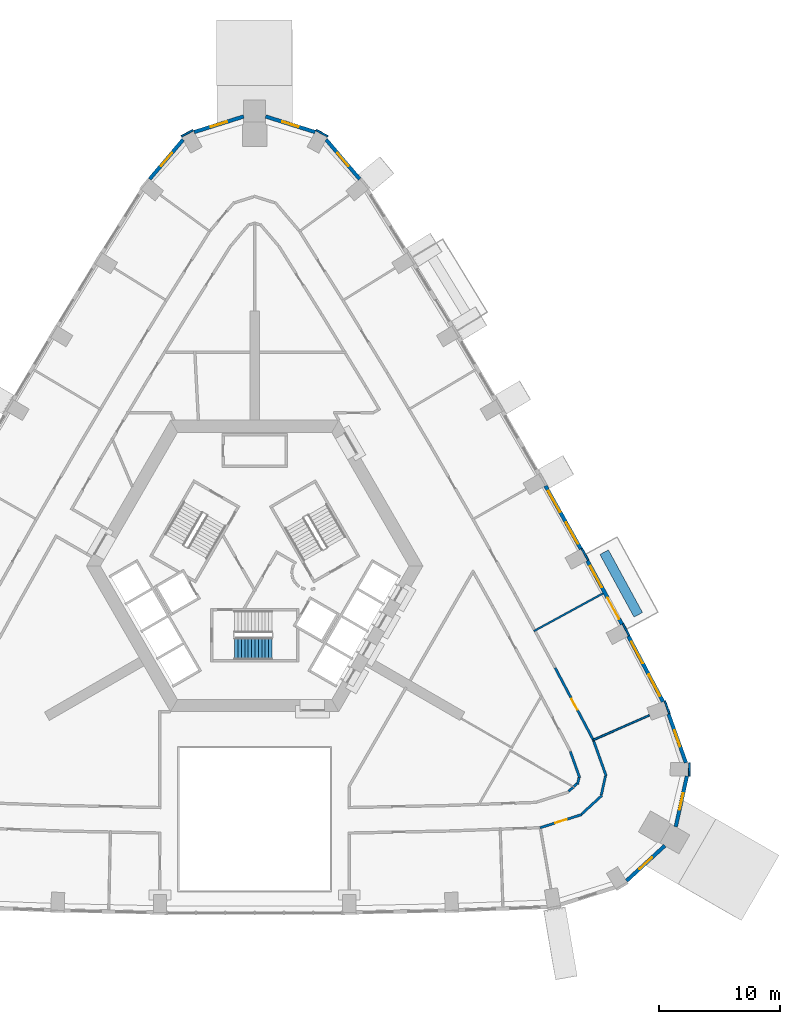
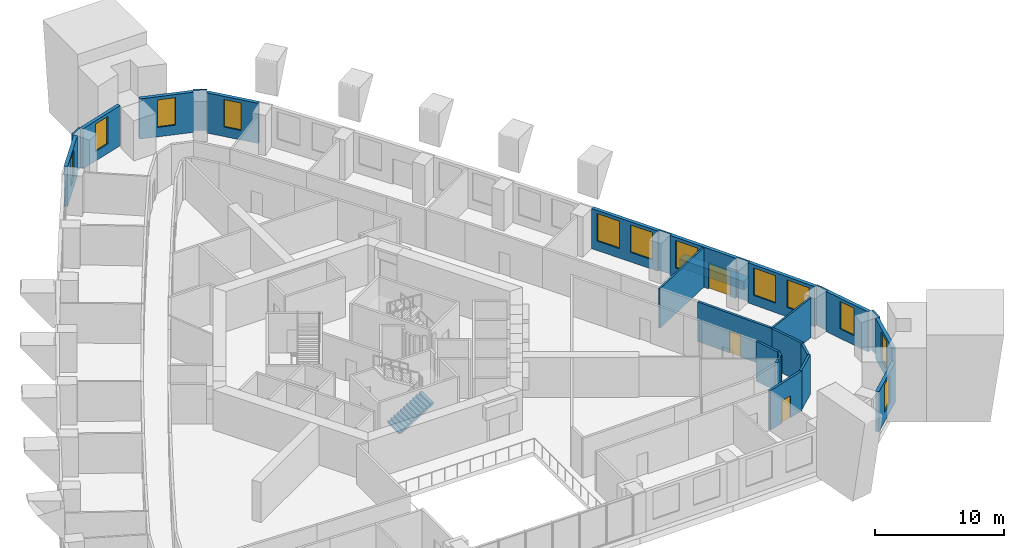
# One storey, part 10 of 14: 28 walls, 12 windows, 3 doors, 1 stair flight, 15 openings, 1 element without a shape of its own.
"""IFC4 building model written with IfcOpenShell, lengths in metres."""

from ifc_helpers import new_model, si_unit, direction, frame, frame_2d, origin, place, context, subcontext, project, spatial, polyline, rectangle, outline, extrude, material, layer, layer_set, type_object, element, fill, aggregate, save


model = new_model("IFC4")

# Units and contexts
model_context = context("Model", 3, precision=1e-05, world=origin(), true_north=direction((0.0, 1.0)))
body_context = subcontext(model_context, "Body", "Model", "MODEL_VIEW")
ifc_project = project(units=[si_unit("LENGTHUNIT", "METRE"), si_unit("AREAUNIT", "SQUARE_METRE"), si_unit("VOLUMEUNIT", "CUBIC_METRE"), si_unit("PLANEANGLEUNIT", "RADIAN"), si_unit("MASSUNIT", "GRAM", prefix="KILO")], contexts=[model_context])

# Site, building, storey
site_placement = place(None, origin())
site = spatial("IfcSite", under=ifc_project, at=site_placement, CompositionType="ELEMENT")
building_placement = place(site_placement, origin())
building = spatial("IfcBuilding", under=site, at=building_placement, Name="Entoto Arch Interchange Tower", CompositionType="ELEMENT")
storey_placement = place(building_placement, frame((0.0, 0.0, 176.0)))
storey = spatial("IfcBuildingStorey", under=building, at=storey_placement, Name="L39", CompositionType="ELEMENT", Elevation=176.0)

# Walls
ifc_material_1 = material(Name="Gypsum board partition on steel studs", Category="steel")
ifc_layer_1 = layer(ifc_material_1, 0.14990234375)
ifc_layer_set_1 = layer_set([ifc_layer_1], Name="Gypsum board partition on steel studs")
wall_type_1 = type_object("IfcWallType", Name="PARTITION 150", PredefinedType="PARTITIONING", material=ifc_layer_set_1)
wall_1_placement = place(storey_placement, frame((27.8798828125, -11.824951171875, 0.0), z_axis=(0.0, 0.0, 1.0), x_axis=(0.915110098234, 0.403204052696, 0.0)))
element("IfcWall", 1, at=wall_1_placement, inside=storey, type_object=wall_type_1, Name="wall:L39:p114", PredefinedType="PARTITIONING", context=body_context, shape_type="SweptSolid", body=[
    extrude(rectangle(XDim=5.04443359375, YDim=0.14990234375, at=frame_2d((2.522216796875, 0.0))), origin(), (0.0, 0.0, 1.0), 3.75),
])
wall_2_placement = place(storey_placement, frame((22.97802734375, -2.865966796875, 0.0), z_axis=(0.0, 0.0, 1.0), x_axis=(0.878049098929, 0.478570558925, 0.0)))
element("IfcWall", 2, at=wall_2_placement, inside=storey, type_object=wall_type_1, Name="wall:L39:p115", PredefinedType="PARTITIONING", context=body_context, shape_type="SweptSolid", body=[
    extrude(rectangle(XDim=6.500732421875, YDim=0.14990234375, at=frame_2d((3.25048828125, 0.0))), origin(), (0.0, 0.0, 1.0), 3.75),
])
ifc_layer_2 = layer(ifc_material_1, 0.199951171875)
ifc_layer_set_2 = layer_set([ifc_layer_2], Name="Gypsum board partition on steel studs")
wall_type_2 = type_object("IfcWallType", Name="PARTITION 200", PredefinedType="PARTITIONING", material=ifc_layer_set_2)
wall_3_placement = place(storey_placement, frame((25.842041015625, -16.06298828125, 0.0), z_axis=(0.0, 0.0, 1.0), x_axis=(0.738222400631, 0.674557400972, 0.0)))
element("IfcWall", 3, at=wall_3_placement, inside=storey, type_object=wall_type_2, Name="wall:L39:p027", PredefinedType="PARTITIONING", context=body_context, shape_type="SweptSolid", body=[
    extrude(rectangle(XDim=0.50244140625, YDim=0.199951171875, at=frame_2d((0.251220703125, 0.0))), origin(), (0.0, 0.0, 1.0), 3.75),
])
wall_4_placement = place(storey_placement, frame((26.285888671875, -15.656005859375, 0.0), z_axis=(0.0, 0.0, 1.0), x_axis=(0.73763613927, 0.675198434568, 0.0)))
element("IfcWall", 4, at=wall_4_placement, inside=storey, type_object=wall_type_2, Name="wall:L39:p028", PredefinedType="PARTITIONING", context=body_context, shape_type="SweptSolid", body=[
    extrude(rectangle(XDim=0.336181640625, YDim=0.199951171875, at=frame_2d((0.16796875, 0.0))), origin(), (0.0, 0.0, 1.0), 3.75),
])
wall_5_placement = place(storey_placement, frame((26.5859375, -15.458984375, 0.0), z_axis=(0.0, 0.0, 1.0), x_axis=(0.215832999607, 0.976430292586, 0.0)))
element("IfcWall", 5, at=wall_5_placement, inside=storey, type_object=wall_type_2, Name="wall:L39:p029", PredefinedType="PARTITIONING", context=body_context, shape_type="SweptSolid", body=[
    extrude(rectangle(XDim=0.541748046875, YDim=0.199951171875, at=frame_2d((0.27099609375, 0.0))), origin(), (0.0, 0.0, 1.0), 3.75),
])
wall_6_placement = place(storey_placement, frame((26.758056640625, -14.926025390625, 0.0), z_axis=(0.0, 0.0, 1.0), x_axis=(-0.33645112914, 0.941700927949, 0.0)))
element("IfcWall", 6, at=wall_6_placement, inside=storey, type_object=wall_type_2, Name="wall:L39:p030", PredefinedType="PARTITIONING", context=body_context, shape_type="SweptSolid", body=[
    extrude(rectangle(XDim=2.29150390625, YDim=0.199951171875, at=frame_2d((1.145751953125, 0.0))), origin(), (0.0, 0.0, 1.0), 3.75),
])
wall_7_placement = place(storey_placement, frame((27.9130859375, -11.9189453125, 0.0), z_axis=(0.0, 0.0, 1.0), x_axis=(0.336864004528, -0.941553313654, 0.0)))
element("IfcWall", 7, at=wall_7_placement, inside=storey, type_object=wall_type_2, Name="wall:L39:p045", PredefinedType="PARTITIONING", context=body_context, shape_type="SweptSolid", body=[
    extrude(rectangle(XDim=3.04833984375, YDim=0.199951171875, at=frame_2d((1.524169921875, 0.0))), origin(), (0.0, 0.0, 1.0), 3.75),
])
wall_8_placement = place(storey_placement, frame((28.884033203125, -14.79296875, 0.0), z_axis=(0.0, 0.0, 1.0), x_axis=(-0.216223984898, -0.976343785946, 0.0)))
element("IfcWall", 8, at=wall_8_placement, inside=storey, type_object=wall_type_2, Name="wall:L39:p046", PredefinedType="PARTITIONING", context=body_context, shape_type="SweptSolid", body=[
    extrude(rectangle(XDim=1.610107421875, YDim=0.199951171875, at=frame_2d((0.80517578125, 0.0))), origin(), (0.0, 0.0, 1.0), 3.75),
])
wall_9_placement = place(storey_placement, frame((28.587890625, -16.39501953125, 0.0), z_axis=(0.0, 0.0, 1.0), x_axis=(-0.737118331834, -0.675763690112, 0.0)))
element("IfcWall", 9, at=wall_9_placement, inside=storey, type_object=wall_type_2, Name="wall:L39:p047", PredefinedType="PARTITIONING", context=body_context, shape_type="SweptSolid", body=[
    extrude(rectangle(XDim=2.26416015625, YDim=0.199951171875, at=frame_2d((1.132080078125, 0.0))), origin(), (0.0, 0.0, 1.0), 3.75),
])

# Wall, opening, door
wall_10_placement = place(storey_placement, frame((26.93994140625, -17.9619140625, 0.0), z_axis=(0.0, 0.0, 1.0), x_axis=(-0.953197442309, -0.302348533941, 0.0)))
wall_10 = element("IfcWall", 10, at=wall_10_placement, inside=storey, type_object=wall_type_2, Name="wall:L39:p048", PredefinedType="PARTITIONING", context=body_context, shape_type="SweptSolid", body=[
    extrude(rectangle(XDim=3.618408203125, YDim=0.199951171875, at=frame_2d((1.80908203125, 0.0))), origin(), (0.0, 0.0, 1.0), 3.75),
])
opening_1_placement = place(wall_10_placement, frame((1.30908203125, 0.0, 0.0)))
opening_1 = element("IfcOpeningElement", 11, at=opening_1_placement, cuts=wall_10, Name="Opening L39-D03", PredefinedType="OPENING", context=body_context, shape_type="SweptSolid", body=[
    extrude(rectangle(XDim=1.0, YDim=2.10009765625, at=frame_2d((0.5, 1.050048828125))), frame((0.0, 0.10986328125, 0.0), z_axis=(0.0, -1.0, 0.0), x_axis=(1.0, 0.0, 0.0)), (0.0, 0.0, 1.0), 0.219970703125),
])
ifc_material_2 = material(Name="Timber door leaf in Steel S235 frame", Category="steel")
door_type_1 = type_object("IfcDoorType", Name="DOOR DS-10 1000x2100", OperationType="SINGLE_SWING_LEFT", PredefinedType="DOOR", material=ifc_material_2)
door_1_placement = place(opening_1_placement, origin())
door_1 = element("IfcDoor", 12, at=door_1_placement, inside=storey, type_object=door_type_1, Name="door:L39:03", OperationType="SINGLE_SWING_LEFT", OverallHeight=2.10009765625, OverallWidth=1.0, PredefinedType="DOOR", context=body_context, shape_type="SweptSolid", body=[
    extrude(rectangle(XDim=1.0, YDim=2.10009765625, at=frame_2d((0.5, 1.050048828125))), frame((0.0, 0.02490234375, 0.0), z_axis=(0.0, -1.0, 0.0), x_axis=(1.0, 0.0, 0.0)), (0.0, 0.0, 1.0), 0.050048828125),
])
fill(opening_1, door_1)

wall_11_placement = place(storey_placement, frame((24.738037109375, -5.885009765625, 0.0), z_axis=(0.0, 0.0, 1.0), x_axis=(0.467616297571, -0.883931557444, 0.0)))
wall_11 = element("IfcWall", 13, at=wall_11_placement, inside=storey, type_object=wall_type_2, Name="wall:L39:p050", PredefinedType="PARTITIONING", context=body_context, shape_type="SweptSolid", body=[
    extrude(rectangle(XDim=6.819580078125, YDim=0.199951171875, at=frame_2d((3.40966796875, 0.0))), origin(), (0.0, 0.0, 1.0), 3.75),
])
opening_2_placement = place(wall_11_placement, frame((2.909912109375, 0.0, 0.0)))
opening_2 = element("IfcOpeningElement", 14, at=opening_2_placement, cuts=wall_11, Name="Opening L39-D04", PredefinedType="OPENING", context=body_context, shape_type="SweptSolid", body=[
    extrude(rectangle(XDim=1.0, YDim=2.10009765625, at=frame_2d((0.5, 1.050048828125))), frame((0.0, 0.10986328125, 0.0), z_axis=(0.0, -1.0, 0.0), x_axis=(1.0, 0.0, 0.0)), (0.0, 0.0, 1.0), 0.219970703125),
])
door_2_placement = place(opening_2_placement, origin())
door_2 = element("IfcDoor", 15, at=door_2_placement, inside=storey, type_object=door_type_1, Name="door:L39:04", OperationType="SINGLE_SWING_LEFT", OverallHeight=2.10009765625, OverallWidth=1.0, PredefinedType="DOOR", context=body_context, shape_type="SweptSolid", body=[
    extrude(rectangle(XDim=1.0, YDim=2.10009765625, at=frame_2d((0.5, 1.050048828125))), frame((0.0, 0.02490234375, 0.0), z_axis=(0.0, -1.0, 0.0), x_axis=(1.0, 0.0, 0.0)), (0.0, 0.0, 1.0), 0.050048828125),
])
fill(opening_2, door_2)

# Wall
ifc_material_3 = material(Name="Board-marked precast concrete C50/60", Category="concrete")
ifc_layer_3 = layer(ifc_material_3, 0.800048828125)
ifc_layer_set_3 = layer_set([ifc_layer_3], Name="Board-marked precast concrete C50/60")
wall_type_3 = type_object("IfcWallType", Name="PLANTER RC 800 Vachellia abyssinica", PredefinedType="STANDARD", material=ifc_layer_set_3)
wall_12_placement = place(storey_placement, frame((31.5830078125, -1.51806640625, 0.0), z_axis=(0.0, 0.0, 1.0), x_axis=(-0.478688945337, 0.877984563425, 0.0)))
element("IfcWall", 16, at=wall_12_placement, inside=storey, type_object=wall_type_3, Name="Planter NE-02 L39", PredefinedType="STANDARD", context=body_context, shape_type="SweptSolid", body=[
    extrude(rectangle(XDim=5.870361328125, YDim=0.800048828125, at=frame_2d((2.93505859375, 0.0))), origin(), (0.0, 0.0, 1.0), 0.800048828125),
])

# Wall, opening, window
ifc_material_4 = material(Name="Welded tuff (ignimbrite) cladding, warm buff", Category="masonry")
ifc_layer_4 = layer(ifc_material_4, 0.300048828125)
ifc_layer_set_4 = layer_set([ifc_layer_4], Name="Welded tuff (ignimbrite) cladding, warm buff")
wall_type_4 = type_object("IfcWallType", Name="STONE INFILL WALL 300", PredefinedType="STANDARD", material=ifc_layer_set_4)
wall_13_placement = place(storey_placement, frame((30.614013671875, -23.423095703125, 0.0), z_axis=(0.0, 0.0, 1.0), x_axis=(0.737279680174, 0.675587650274, 0.0)))
wall_13 = element("IfcWall", 17, at=wall_13_placement, inside=storey, type_object=wall_type_4, Name="Facade wall SE-02 L39", PredefinedType="STANDARD", context=body_context, shape_type="SweptSolid", body=[
    extrude(rectangle(XDim=4.278076171875, YDim=0.300048828125, at=frame_2d((2.13916015625, 0.0))), origin(), (0.0, 0.0, 1.0), 3.800048828125),
])
opening_3_placement = place(wall_13_placement, frame((1.43896484375, 0.0, 0.89990234375)))
opening_3 = element("IfcOpeningElement", 18, at=opening_3_placement, cuts=wall_13, Name="Opening WO-B", PredefinedType="OPENING", context=body_context, shape_type="SweptSolid", body=[
    extrude(rectangle(XDim=1.39990234375, YDim=2.60009765625, at=frame_2d((0.699951171875, 1.300048828125))), frame((0.0, 0.16015625, 0.0), z_axis=(0.0, -1.0, 0.0), x_axis=(1.0, 0.0, 0.0)), (0.0, 0.0, 1.0), 0.320068359375),
])
ifc_material_5 = material(Name="Clear glass, low-e double glazed", Category="glass")
window_type_1 = type_object("IfcWindowType", Name="WINDOW WO-B 1400x2600", PartitioningType="DOUBLE_PANEL_VERTICAL", PredefinedType="WINDOW", material=ifc_material_5)
window_1_placement = place(opening_3_placement, origin())
window_1 = element("IfcWindow", 19, at=window_1_placement, inside=storey, type_object=window_type_1, Name="Window WO-B SE-02 L39", OverallHeight=2.60009765625, OverallWidth=1.39990234375, PartitioningType="SINGLE_PANEL", PredefinedType="WINDOW", context=body_context, shape_type="SweptSolid", body=[
    extrude(rectangle(XDim=1.39990234375, YDim=2.60009765625, at=frame_2d((0.699951171875, 1.300048828125))), frame((0.0, 0.030029296875, 0.0), z_axis=(0.0, -1.0, 0.0), x_axis=(1.0, 0.0, 0.0)), (0.0, 0.0, 1.0), 0.06005859375),
])
fill(opening_3, window_1)

wall_14_placement = place(storey_placement, frame((34.6669921875, -18.97607421875, 0.0), z_axis=(0.0, 0.0, 1.0), x_axis=(0.216102175589, 0.976370754225, 0.0)))
wall_14 = element("IfcWall", 20, at=wall_14_placement, inside=storey, type_object=wall_type_4, Name="Facade wall SE-03 L39", PredefinedType="STANDARD", context=body_context, shape_type="SweptSolid", body=[
    extrude(rectangle(XDim=4.276123046875, YDim=0.300048828125, at=frame_2d((2.13818359375, 0.0))), origin(), (0.0, 0.0, 1.0), 3.800048828125),
])
opening_4_placement = place(wall_14_placement, frame((1.43798828125, 0.0, 0.89990234375)))
opening_4 = element("IfcOpeningElement", 21, at=opening_4_placement, cuts=wall_14, Name="Opening WO-B", PredefinedType="OPENING", context=body_context, shape_type="SweptSolid", body=[
    extrude(rectangle(XDim=1.39990234375, YDim=2.60009765625, at=frame_2d((0.699951171875, 1.300048828125))), frame((0.0, 0.16015625, 0.0), z_axis=(0.0, -1.0, 0.0), x_axis=(1.0, 0.0, 0.0)), (0.0, 0.0, 1.0), 0.320068359375),
])
window_2_placement = place(opening_4_placement, origin())
window_2 = element("IfcWindow", 22, at=window_2_placement, inside=storey, type_object=window_type_1, Name="Window WO-B SE-03 L39", OverallHeight=2.60009765625, OverallWidth=1.39990234375, PartitioningType="SINGLE_PANEL", PredefinedType="WINDOW", context=body_context, shape_type="SweptSolid", body=[
    extrude(rectangle(XDim=1.39990234375, YDim=2.60009765625, at=frame_2d((0.699951171875, 1.300048828125))), frame((0.0, 0.030029296875, 0.0), z_axis=(0.0, -1.0, 0.0), x_axis=(1.0, 0.0, 0.0)), (0.0, 0.0, 1.0), 0.06005859375),
])
fill(opening_4, window_2)

wall_15_placement = place(storey_placement, frame((35.506103515625, -13.699951171875, 0.0), z_axis=(0.0, 0.0, 1.0), x_axis=(-0.336652028742, 0.941629126325, 0.0)))
wall_15 = element("IfcWall", 23, at=wall_15_placement, inside=storey, type_object=wall_type_4, Name="Facade wall SE-04 L39", PredefinedType="STANDARD", context=body_context, shape_type="SweptSolid", body=[
    extrude(rectangle(XDim=4.2626953125, YDim=0.300048828125, at=frame_2d((2.13134765625, 0.0))), origin(), (0.0, 0.0, 1.0), 3.800048828125),
])
opening_5_placement = place(wall_15_placement, frame((1.430908203125, 0.0, 0.89990234375)))
opening_5 = element("IfcOpeningElement", 24, at=opening_5_placement, cuts=wall_15, Name="Opening WO-B", PredefinedType="OPENING", context=body_context, shape_type="SweptSolid", body=[
    extrude(rectangle(XDim=1.39990234375, YDim=2.60009765625, at=frame_2d((0.699951171875, 1.300048828125))), frame((0.0, 0.16015625, 0.0), z_axis=(0.0, -1.0, 0.0), x_axis=(1.0, 0.0, 0.0)), (0.0, 0.0, 1.0), 0.320068359375),
])
window_3_placement = place(opening_5_placement, origin())
window_3 = element("IfcWindow", 25, at=window_3_placement, inside=storey, type_object=window_type_1, Name="Window WO-B SE-04 L39", OverallHeight=2.60009765625, OverallWidth=1.39990234375, PartitioningType="SINGLE_PANEL", PredefinedType="WINDOW", context=body_context, shape_type="SweptSolid", body=[
    extrude(rectangle(XDim=1.39990234375, YDim=2.60009765625, at=frame_2d((0.699951171875, 1.300048828125))), frame((0.0, 0.030029296875, 0.0), z_axis=(0.0, -1.0, 0.0), x_axis=(1.0, 0.0, 0.0)), (0.0, 0.0, 1.0), 0.06005859375),
])
fill(opening_5, window_3)

# Wall, openings, windows
wall_16_placement = place(storey_placement, frame((33.6259765625, -8.679931640625, 0.0), z_axis=(0.0, 0.0, 1.0), x_axis=(-0.467572383403, 0.883954787463, 0.0)))
wall_16 = element("IfcWall", 26, at=wall_16_placement, inside=storey, type_object=wall_type_4, Name="Facade wall NE-01 L39", PredefinedType="STANDARD", context=body_context, shape_type="SweptSolid", body=[
    extrude(rectangle(XDim=6.118896484375, YDim=0.300048828125, at=frame_2d((3.0595703125, 0.0))), origin(), (0.0, 0.0, 1.0), 3.800048828125),
])
opening_6_placement = place(wall_16_placement, frame((0.530029296875, 0.0, 0.89990234375)))
opening_6 = element("IfcOpeningElement", 27, at=opening_6_placement, cuts=wall_16, Name="Opening WO-C", PredefinedType="OPENING", context=body_context, shape_type="SweptSolid", body=[
    extrude(rectangle(XDim=2.0, YDim=2.60009765625, at=frame_2d((1.0, 1.300048828125))), frame((0.0, 0.16015625, 0.0), z_axis=(0.0, -1.0, 0.0), x_axis=(1.0, 0.0, 0.0)), (0.0, 0.0, 1.0), 0.320068359375),
])
opening_7_placement = place(wall_16_placement, frame((3.589111328125, 0.0, 0.89990234375)))
opening_7 = element("IfcOpeningElement", 28, at=opening_7_placement, cuts=wall_16, Name="Opening WO-C", PredefinedType="OPENING", context=body_context, shape_type="SweptSolid", body=[
    extrude(rectangle(XDim=2.0, YDim=2.60009765625, at=frame_2d((1.0, 1.300048828125))), frame((0.0, 0.16015625, 0.0), z_axis=(0.0, -1.0, 0.0), x_axis=(1.0, 0.0, 0.0)), (0.0, 0.0, 1.0), 0.320068359375),
])
window_type_2 = type_object("IfcWindowType", Name="WINDOW WO-C 2000x2600", PartitioningType="DOUBLE_PANEL_VERTICAL", PredefinedType="WINDOW", material=ifc_material_5)
window_4_placement = place(opening_6_placement, origin())
window_4 = element("IfcWindow", 29, at=window_4_placement, inside=storey, type_object=window_type_2, Name="Window WO-C NE-01 L39", OverallHeight=2.60009765625, OverallWidth=2.0, PartitioningType="SINGLE_PANEL", PredefinedType="WINDOW", context=body_context, shape_type="SweptSolid", body=[
    extrude(rectangle(XDim=2.0, YDim=2.60009765625, at=frame_2d((1.0, 1.300048828125))), frame((0.0, 0.030029296875, 0.0), z_axis=(0.0, -1.0, 0.0), x_axis=(1.0, 0.0, 0.0)), (0.0, 0.0, 1.0), 0.06005859375),
])
fill(opening_6, window_4)
window_5_placement = place(opening_7_placement, origin())
window_5 = element("IfcWindow", 30, at=window_5_placement, inside=storey, type_object=window_type_2, Name="Window WO-C NE-01 L39", OverallHeight=2.60009765625, OverallWidth=2.0, PartitioningType="SINGLE_PANEL", PredefinedType="WINDOW", context=body_context, shape_type="SweptSolid", body=[
    extrude(rectangle(XDim=2.0, YDim=2.60009765625, at=frame_2d((1.0, 1.300048828125))), frame((0.0, 0.030029296875, 0.0), z_axis=(0.0, -1.0, 0.0), x_axis=(1.0, 0.0, 0.0)), (0.0, 0.0, 1.0), 0.06005859375),
])
fill(opening_7, window_5)

# Wall, openings, door, window
wall_17_placement = place(storey_placement, frame((30.24609375, -2.302978515625, 0.0), z_axis=(0.0, 0.0, 1.0), x_axis=(-0.478711740571, 0.877972134774, 0.0)))
wall_17 = element("IfcWall", 31, at=wall_17_placement, inside=storey, type_object=wall_type_4, Name="Facade wall NE-02 L39", PredefinedType="STANDARD", context=body_context, shape_type="SweptSolid", body=[
    extrude(rectangle(XDim=5.970458984375, YDim=0.300048828125, at=frame_2d((2.9853515625, 0.0))), origin(), (0.0, 0.0, 1.0), 3.800048828125),
])
opening_8_placement = place(wall_17_placement, frame((0.492919921875, 0.0, 0.0)))
opening_8 = element("IfcOpeningElement", 32, at=opening_8_placement, cuts=wall_17, Name="Opening DB-NE-02-L39", PredefinedType="OPENING", context=body_context, shape_type="SweptSolid", body=[
    extrude(rectangle(XDim=2.0, YDim=2.39990234375, at=frame_2d((1.0, 1.199951171875))), frame((0.0, 0.16015625, 0.0), z_axis=(0.0, -1.0, 0.0), x_axis=(1.0, 0.0, 0.0)), (0.0, 0.0, 1.0), 0.320068359375),
])
opening_9_placement = place(wall_17_placement, frame((3.47802734375, 0.0, 0.89990234375)))
opening_9 = element("IfcOpeningElement", 33, at=opening_9_placement, cuts=wall_17, Name="Opening WO-C", PredefinedType="OPENING", context=body_context, shape_type="SweptSolid", body=[
    extrude(rectangle(XDim=2.0, YDim=2.60009765625, at=frame_2d((1.0, 1.300048828125))), frame((0.0, 0.16015625, 0.0), z_axis=(0.0, -1.0, 0.0), x_axis=(1.0, 0.0, 0.0)), (0.0, 0.0, 1.0), 0.320068359375),
])
ifc_material_6 = material(Name="Aluminium and clear glass, anodised", Category="aluminium")
door_type_2 = type_object("IfcDoorType", Name="BALCONY DOOR DB 2000x2400", OperationType="SLIDING_TO_LEFT", PredefinedType="DOOR", material=ifc_material_6)
door_3_placement = place(opening_8_placement, origin())
door_3 = element("IfcDoor", 34, at=door_3_placement, inside=storey, type_object=door_type_2, Name="Balcony door NE-02 L39", OperationType="SLIDING_TO_LEFT", OverallHeight=2.39990234375, OverallWidth=2.0, PredefinedType="DOOR", context=body_context, shape_type="SweptSolid", body=[
    extrude(rectangle(XDim=2.0, YDim=2.39990234375, at=frame_2d((1.0, 1.199951171875))), frame((0.0, 0.02490234375, 0.0), z_axis=(0.0, -1.0, 0.0), x_axis=(1.0, 0.0, 0.0)), (0.0, 0.0, 1.0), 0.050048828125),
])
fill(opening_8, door_3)
window_6_placement = place(opening_9_placement, origin())
window_6 = element("IfcWindow", 35, at=window_6_placement, inside=storey, type_object=window_type_2, Name="Window WO-C NE-02 L39", OverallHeight=2.60009765625, OverallWidth=2.0, PartitioningType="SINGLE_PANEL", PredefinedType="WINDOW", context=body_context, shape_type="SweptSolid", body=[
    extrude(rectangle(XDim=2.0, YDim=2.60009765625, at=frame_2d((1.0, 1.300048828125))), frame((0.0, 0.030029296875, 0.0), z_axis=(0.0, -1.0, 0.0), x_axis=(1.0, 0.0, 0.0)), (0.0, 0.0, 1.0), 0.06005859375),
])
fill(opening_9, window_6)

# Wall, openings, windows
wall_18_placement = place(storey_placement, frame((26.85693359375, 3.89990234375, 0.0), z_axis=(0.0, 0.0, 1.0), x_axis=(-0.489305602904, 0.872112393541, 0.0)))
wall_18 = element("IfcWall", 36, at=wall_18_placement, inside=storey, type_object=wall_type_4, Name="Facade wall NE-03 L39", PredefinedType="STANDARD", context=body_context, shape_type="SweptSolid", body=[
    extrude(rectangle(XDim=5.969482421875, YDim=0.300048828125, at=frame_2d((2.98486328125, 0.0))), origin(), (0.0, 0.0, 1.0), 3.800048828125),
])
opening_10_placement = place(wall_18_placement, frame((0.491943359375, 0.0, 0.89990234375)))
opening_10 = element("IfcOpeningElement", 37, at=opening_10_placement, cuts=wall_18, Name="Opening WO-C", PredefinedType="OPENING", context=body_context, shape_type="SweptSolid", body=[
    extrude(rectangle(XDim=2.0, YDim=2.60009765625, at=frame_2d((1.0, 1.300048828125))), frame((0.0, 0.16015625, 0.0), z_axis=(0.0, -1.0, 0.0), x_axis=(1.0, 0.0, 0.0)), (0.0, 0.0, 1.0), 0.320068359375),
])
opening_11_placement = place(wall_18_placement, frame((3.47705078125, 0.0, 0.89990234375)))
opening_11 = element("IfcOpeningElement", 38, at=opening_11_placement, cuts=wall_18, Name="Opening WO-C", PredefinedType="OPENING", context=body_context, shape_type="SweptSolid", body=[
    extrude(rectangle(XDim=2.0, YDim=2.60009765625, at=frame_2d((1.0, 1.300048828125))), frame((0.0, 0.16015625, 0.0), z_axis=(0.0, -1.0, 0.0), x_axis=(1.0, 0.0, 0.0)), (0.0, 0.0, 1.0), 0.320068359375),
])
window_7_placement = place(opening_10_placement, origin())
window_7 = element("IfcWindow", 39, at=window_7_placement, inside=storey, type_object=window_type_2, Name="Window WO-C NE-03 L39", OverallHeight=2.60009765625, OverallWidth=2.0, PartitioningType="SINGLE_PANEL", PredefinedType="WINDOW", context=body_context, shape_type="SweptSolid", body=[
    extrude(rectangle(XDim=2.0, YDim=2.60009765625, at=frame_2d((1.0, 1.300048828125))), frame((0.0, 0.030029296875, 0.0), z_axis=(0.0, -1.0, 0.0), x_axis=(1.0, 0.0, 0.0)), (0.0, 0.0, 1.0), 0.06005859375),
])
fill(opening_10, window_7)
window_8_placement = place(opening_11_placement, origin())
window_8 = element("IfcWindow", 40, at=window_8_placement, inside=storey, type_object=window_type_2, Name="Window WO-C NE-03 L39", OverallHeight=2.60009765625, OverallWidth=2.0, PartitioningType="SINGLE_PANEL", PredefinedType="WINDOW", context=body_context, shape_type="SweptSolid", body=[
    extrude(rectangle(XDim=2.0, YDim=2.60009765625, at=frame_2d((1.0, 1.300048828125))), frame((0.0, 0.030029296875, 0.0), z_axis=(0.0, -1.0, 0.0), x_axis=(1.0, 0.0, 0.0)), (0.0, 0.0, 1.0), 0.06005859375),
])
fill(opening_11, window_8)

# Wall, opening, window
wall_19_placement = place(storey_placement, frame((8.64697265625, 34.35009765625, 0.0), z_axis=(0.0, 0.0, 1.0), x_axis=(-0.647156077277, 0.76235753531, 0.0)))
wall_19 = element("IfcWall", 41, at=wall_19_placement, inside=storey, type_object=wall_type_4, Name="Facade wall N-01 L39", PredefinedType="STANDARD", context=body_context, shape_type="SweptSolid", body=[
    extrude(rectangle(XDim=4.26171875, YDim=0.300048828125, at=frame_2d((2.130859375, 0.0))), origin(), (0.0, 0.0, 1.0), 3.800048828125),
])
opening_12_placement = place(wall_19_placement, frame((1.430908203125, 0.0, 0.89990234375)))
opening_12 = element("IfcOpeningElement", 42, at=opening_12_placement, cuts=wall_19, Name="Opening WO-B", PredefinedType="OPENING", context=body_context, shape_type="SweptSolid", body=[
    extrude(rectangle(XDim=1.39990234375, YDim=2.60009765625, at=frame_2d((0.699951171875, 1.300048828125))), frame((0.0, 0.16015625, 0.0), z_axis=(0.0, -1.0, 0.0), x_axis=(1.0, 0.0, 0.0)), (0.0, 0.0, 1.0), 0.320068359375),
])
window_9_placement = place(opening_12_placement, origin())
window_9 = element("IfcWindow", 43, at=window_9_placement, inside=storey, type_object=window_type_1, Name="Window WO-B N-01 L39", OverallHeight=2.60009765625, OverallWidth=1.39990234375, PartitioningType="SINGLE_PANEL", PredefinedType="WINDOW", context=body_context, shape_type="SweptSolid", body=[
    extrude(rectangle(XDim=1.39990234375, YDim=2.60009765625, at=frame_2d((0.699951171875, 1.300048828125))), frame((0.0, 0.030029296875, 0.0), z_axis=(0.0, -1.0, 0.0), x_axis=(1.0, 0.0, 0.0)), (0.0, 0.0, 1.0), 0.06005859375),
])
fill(opening_12, window_9)

wall_20_placement = place(storey_placement, frame((4.97802734375, 38.222900390625, 0.0), z_axis=(0.0, 0.0, 1.0), x_axis=(-0.953651650729, 0.300912826349, 0.0)))
wall_20 = element("IfcWall", 44, at=wall_20_placement, inside=storey, type_object=wall_type_4, Name="Facade wall N-02 L39", PredefinedType="STANDARD", context=body_context, shape_type="SweptSolid", body=[
    extrude(rectangle(XDim=4.27734375, YDim=0.300048828125, at=frame_2d((2.138671875, 0.0))), origin(), (0.0, 0.0, 1.0), 3.800048828125),
])
opening_13_placement = place(wall_20_placement, frame((1.43896484375, 0.0, 0.89990234375)))
opening_13 = element("IfcOpeningElement", 45, at=opening_13_placement, cuts=wall_20, Name="Opening WO-B", PredefinedType="OPENING", context=body_context, shape_type="SweptSolid", body=[
    extrude(rectangle(XDim=1.39990234375, YDim=2.60009765625, at=frame_2d((0.699951171875, 1.300048828125))), frame((0.0, 0.16015625, 0.0), z_axis=(0.0, -1.0, 0.0), x_axis=(1.0, 0.0, 0.0)), (0.0, 0.0, 1.0), 0.320068359375),
])
window_10_placement = place(opening_13_placement, origin())
window_10 = element("IfcWindow", 46, at=window_10_placement, inside=storey, type_object=window_type_1, Name="Window WO-B N-02 L39", OverallHeight=2.60009765625, OverallWidth=1.39990234375, PartitioningType="SINGLE_PANEL", PredefinedType="WINDOW", context=body_context, shape_type="SweptSolid", body=[
    extrude(rectangle(XDim=1.39990234375, YDim=2.60009765625, at=frame_2d((0.699951171875, 1.300048828125))), frame((0.0, 0.030029296875, 0.0), z_axis=(0.0, -1.0, 0.0), x_axis=(1.0, 0.0, 0.0)), (0.0, 0.0, 1.0), 0.06005859375),
])
fill(opening_13, window_10)

wall_21_placement = place(storey_placement, frame((-0.89892578125, 39.510009765625, 0.0), z_axis=(0.0, 0.0, 1.0), x_axis=(-0.953651650729, -0.300912826349, 0.0)))
wall_21 = element("IfcWall", 47, at=wall_21_placement, inside=storey, type_object=wall_type_4, Name="Facade wall N-03 L39", PredefinedType="STANDARD", context=body_context, shape_type="SweptSolid", body=[
    extrude(rectangle(XDim=4.27734375, YDim=0.300048828125, at=frame_2d((2.138671875, 0.0))), origin(), (0.0, 0.0, 1.0), 3.800048828125),
])
opening_14_placement = place(wall_21_placement, frame((1.43896484375, 0.0, 0.89990234375)))
opening_14 = element("IfcOpeningElement", 48, at=opening_14_placement, cuts=wall_21, Name="Opening WO-B", PredefinedType="OPENING", context=body_context, shape_type="SweptSolid", body=[
    extrude(rectangle(XDim=1.39990234375, YDim=2.60009765625, at=frame_2d((0.699951171875, 1.300048828125))), frame((0.0, 0.16015625, 0.0), z_axis=(0.0, -1.0, 0.0), x_axis=(1.0, 0.0, 0.0)), (0.0, 0.0, 1.0), 0.320068359375),
])
window_11_placement = place(opening_14_placement, origin())
window_11 = element("IfcWindow", 49, at=window_11_placement, inside=storey, type_object=window_type_1, Name="Window WO-B N-03 L39", OverallHeight=2.60009765625, OverallWidth=1.39990234375, PartitioningType="SINGLE_PANEL", PredefinedType="WINDOW", context=body_context, shape_type="SweptSolid", body=[
    extrude(rectangle(XDim=1.39990234375, YDim=2.60009765625, at=frame_2d((0.699951171875, 1.300048828125))), frame((0.0, 0.030029296875, 0.0), z_axis=(0.0, -1.0, 0.0), x_axis=(1.0, 0.0, 0.0)), (0.0, 0.0, 1.0), 0.06005859375),
])
fill(opening_14, window_11)

wall_22_placement = place(storey_placement, frame((-5.888916015625, 37.59912109375, 0.0), z_axis=(0.0, 0.0, 1.0), x_axis=(-0.647156077277, -0.76235753531, 0.0)))
wall_22 = element("IfcWall", 50, at=wall_22_placement, inside=storey, type_object=wall_type_4, Name="Facade wall N-04 L39", PredefinedType="STANDARD", context=body_context, shape_type="SweptSolid", body=[
    extrude(rectangle(XDim=4.26171875, YDim=0.300048828125, at=frame_2d((2.130859375, 0.0))), origin(), (0.0, 0.0, 1.0), 3.800048828125),
])
opening_15_placement = place(wall_22_placement, frame((1.430908203125, 0.0, 0.89990234375)))
opening_15 = element("IfcOpeningElement", 51, at=opening_15_placement, cuts=wall_22, Name="Opening WO-B", PredefinedType="OPENING", context=body_context, shape_type="SweptSolid", body=[
    extrude(rectangle(XDim=1.39990234375, YDim=2.60009765625, at=frame_2d((0.699951171875, 1.300048828125))), frame((0.0, 0.16015625, 0.0), z_axis=(0.0, -1.0, 0.0), x_axis=(1.0, 0.0, 0.0)), (0.0, 0.0, 1.0), 0.320068359375),
])
window_12_placement = place(opening_15_placement, origin())
window_12 = element("IfcWindow", 52, at=window_12_placement, inside=storey, type_object=window_type_1, Name="Window WO-B N-04 L39", OverallHeight=2.60009765625, OverallWidth=1.39990234375, PartitioningType="SINGLE_PANEL", PredefinedType="WINDOW", context=body_context, shape_type="SweptSolid", body=[
    extrude(rectangle(XDim=1.39990234375, YDim=2.60009765625, at=frame_2d((0.699951171875, 1.300048828125))), frame((0.0, 0.030029296875, 0.0), z_axis=(0.0, -1.0, 0.0), x_axis=(1.0, 0.0, 0.0)), (0.0, 0.0, 1.0), 0.06005859375),
])
fill(opening_15, window_12)

# Walls
ifc_layer_5 = layer(ifc_material_4, 0.14990234375)
ifc_layer_set_5 = layer_set([ifc_layer_5], Name="Welded tuff (ignimbrite) cladding, warm buff")
wall_type_5 = type_object("IfcWallType", Name="STONE PIER CLADDING 150", PredefinedType="STANDARD", material=ifc_layer_set_5)
for number, where, z_axis, x_axis, name in (
    (53, (6.031982421875, 37.860107421875, 0.0), (0.0, 0.0, 1.0), (-0.877929486755, 0.478789950068, 0.0), "Stone pier N1 L39"),
    (54, (-5.06591796875, 38.386962890625, 0.0), (0.0, 0.0, 1.0), (-0.877929486755, -0.478789950068, 0.0), "Stone pier N3 L39"),
):
    element("IfcWall", number, at=place(storey_placement, frame(where, z_axis=z_axis, x_axis=x_axis)), inside=storey, type_object=wall_type_5, Name=name, PredefinedType="STANDARD", context=body_context, shape_type="SweptSolid", body=[
        extrude(rectangle(XDim=1.100341796875, YDim=0.14990234375, at=frame_2d((0.55029296875, 0.0))), origin(), (0.0, 0.0, 1.0), 3.800048828125),
    ])
wall_23_placement = place(storey_placement, frame((34.14697265625, -9.658935546875, 0.0), z_axis=(0.0, 0.0, 1.0), x_axis=(-0.346229846278, 0.938149718087, 0.0)))
element("IfcWall", 55, at=wall_23_placement, inside=storey, type_object=wall_type_5, Name="Stone pier NE01 L39", PredefinedType="STANDARD", context=body_context, shape_type="SweptSolid", body=[
    extrude(rectangle(XDim=1.10009765625, YDim=0.14990234375, at=frame_2d((0.550048828125, 0.0))), origin(), (0.0, 0.0, 1.0), 3.800048828125),
])
wall_24_placement = place(storey_placement, frame((30.8330078125, -3.236083984375, 0.0), z_axis=(0.0, 0.0, 1.0), x_axis=(-0.469966207956, 0.882684407577, 0.0)))
element("IfcWall", 56, at=wall_24_placement, inside=storey, type_object=wall_type_5, Name="Stone pier NE02 L39", PredefinedType="STANDARD", context=body_context, shape_type="SweptSolid", body=[
    extrude(rectangle(XDim=1.100341796875, YDim=0.14990234375, at=frame_2d((0.55029296875, 0.0))), origin(), (0.0, 0.0, 1.0), 3.800048828125),
])
for number, where, z_axis, x_axis, name in (
    (57, (27.4560546875, 2.97509765625, 0.0), (0.0, 0.0, 1.0), (-0.481850587491, 0.876253394478, 0.0), "Stone pier NE03 L39"),
    (58, (35.777099609375, -14.805908203125, 0.0), (0.0, 0.0, 1.0), (0.023522901136, 0.999723298279, 0.0), "Stone pier SE3 L39"),
):
    element("IfcWall", number, at=place(storey_placement, frame(where, z_axis=z_axis, x_axis=x_axis)), inside=storey, type_object=wall_type_5, Name=name, PredefinedType="STANDARD", context=body_context, shape_type="SweptSolid", body=[
        extrude(rectangle(XDim=1.10009765625, YDim=0.14990234375, at=frame_2d((0.550048828125, 0.0))), origin(), (0.0, 0.0, 1.0), 3.800048828125),
    ])

# Stair, stair flight
ifc_material_7 = material(Name="Concrete C40/50", Category="concrete")
stair_type = type_object("IfcStairType", Name="EXIT STAIR RC 1800", PredefinedType="HALF_TURN_STAIR", material=ifc_material_7)
stair_placement = place(storey_placement, origin())
stair = element("IfcStair", 59, at=stair_placement, inside=storey, type_object=stair_type, Name="L39 Exit stair S", PredefinedType="HALF_TURN_STAIR")
stair_flight_type = type_object("IfcStairFlightType", Name="EXIT STAIR FLIGHT RC 1800", PredefinedType="STRAIGHT", material=ifc_material_7)
stair_flight_placement = place(storey_placement, frame((-1.64990234375, -4.300048828125, 0.0), z_axis=(0.0, 0.0, 1.0), x_axis=(1.0, 0.0, 0.0)))
stair_flight = element("IfcStairFlight", 60, at=stair_flight_placement, type_object=stair_flight_type, Name="ST-S flight 1", NumberOfRisers=12, NumberOfTreads=11, PredefinedType="STRAIGHT", RiserHeight=0.175, TreadLength=0.28, context=body_context, shape_type="SweptSolid", body=[
    extrude(outline(polyline([(-0.0029296875, 0.0), (-0.0029296875, 0.175048828125), (0.280029296875, 0.175048828125), (0.280029296875, 0.35009765625), (0.56005859375, 0.35009765625), (0.56005859375, 0.52490234375), (0.840087890625, 0.52490234375), (0.840087890625, 0.699951171875), (1.1201171875, 0.699951171875), (1.1201171875, 0.875), (1.39990234375, 0.875), (1.39990234375, 1.050048828125), (1.679931640625, 1.050048828125), (1.679931640625, 1.22509765625), (1.9599609375, 1.22509765625), (1.9599609375, 1.39990234375), (2.239990234375, 1.39990234375), (2.239990234375, 1.574951171875), (2.52001953125, 1.574951171875), (2.52001953125, 1.75), (2.800048828125, 1.75), (2.800048828125, 1.925048828125), (3.080078125, 1.925048828125), (3.0830078125, 1.925048828125), (3.0830078125, 1.75), (0.28271484375, 0.0), (-0.0029296875, 0.0)])), frame((0.0, 0.89990234375, 0.0), z_axis=(0.0, -1.0, 0.0), x_axis=(1.0, 0.0, 0.0)), (0.0, 0.0, 1.0), 1.800048828125),
])
aggregate(stair, [stair_flight])

save(model, "model.ifc")
